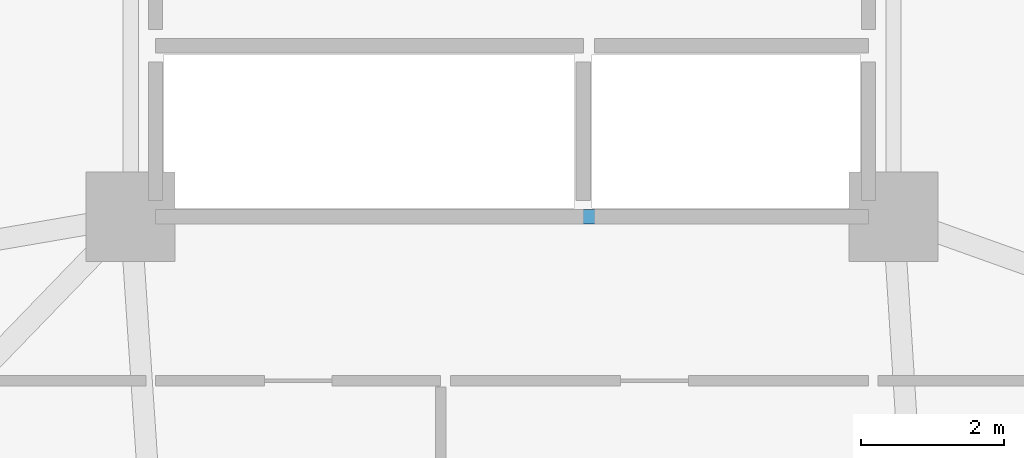
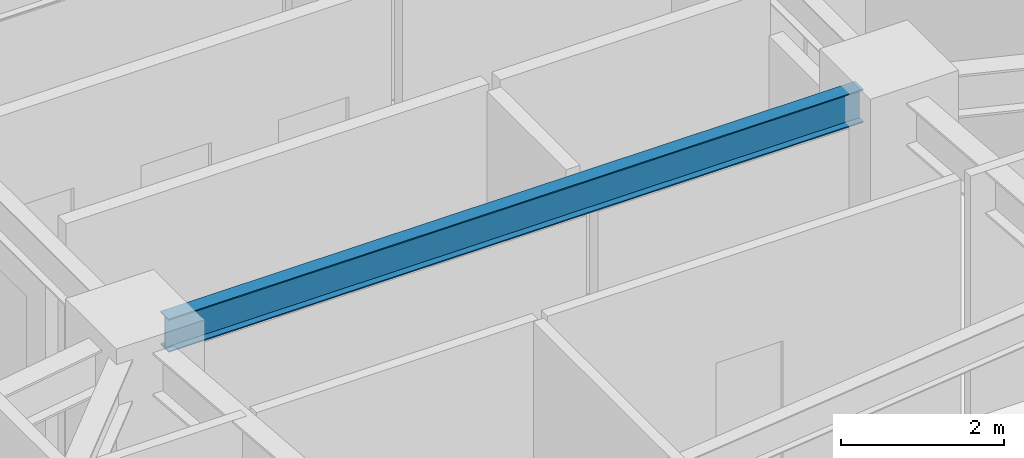
# One storey, part 9 of 26: 1 beam.
"""IFC4 building model written with IfcOpenShell, lengths in metres."""

from ifc_helpers import new_model, si_unit, direction, frame, origin, origin_2d, place, context, subcontext, project, spatial, i_section, extrude, material, material_profile, profile_set, type_object, element, save


model = new_model("IFC4")

# Units and contexts
model_context = context("Model", 3, precision=1e-05, world=origin(), true_north=direction((0.0, 1.0)))
body_context = subcontext(model_context, "Body", "Model", "MODEL_VIEW")
ifc_project = project(units=[si_unit("LENGTHUNIT", "METRE"), si_unit("AREAUNIT", "SQUARE_METRE"), si_unit("VOLUMEUNIT", "CUBIC_METRE"), si_unit("PLANEANGLEUNIT", "RADIAN"), si_unit("MASSUNIT", "GRAM", prefix="KILO")], contexts=[model_context])

# Site, building, storey
site_placement = place(None, origin())
site = spatial("IfcSite", under=ifc_project, at=site_placement, CompositionType="ELEMENT")
building_placement = place(site_placement, origin())
building = spatial("IfcBuilding", under=site, at=building_placement, Name="Varnakorn Sky Granary", CompositionType="ELEMENT")
storey_placement = place(building_placement, frame((0.0, 0.0, 47.10009765625)))
storey = spatial("IfcBuildingStorey", under=building, at=storey_placement, Name="L11", CompositionType="ELEMENT", Elevation=47.10009765625)

# Beam
ifc_material = material(Name="Steel S355JR", Category="steel")
ifc_material_profile = material_profile(ifc_material, i_section(OverallWidth=0.199951171875, OverallDepth=0.5, WebThickness=0.01025390625, FlangeThickness=0.01611328125, at=origin_2d()), Name="IPE 500")
ifc_profile_set = profile_set([ifc_material_profile], Name="Steel S355JR")
beam_type = type_object("IfcBeamType", Name="BM-SEC-Z1", PredefinedType="BEAM", material=ifc_profile_set)
beam_placement = place(storey_placement, frame((-1.929931640625, -6.60009765625, 3.389892578125), z_axis=(1.0, 0.0, 0.0), x_axis=(0.0, 1.0, 0.0)))
element("IfcBeam", 1, at=beam_placement, inside=storey, type_object=beam_type, Name="Core Spine Framing Beam 6 L11", PredefinedType="BEAM", context=body_context, shape_type="SweptSolid", body=[
    extrude(i_section(OverallWidth=0.199951171875, OverallDepth=0.5, WebThickness=0.01025390625, FlangeThickness=0.01611328125, at=origin_2d()), origin(), (0.0, 0.0, 1.0), 9.85986328125),
])

save(model, "model.ifc")
